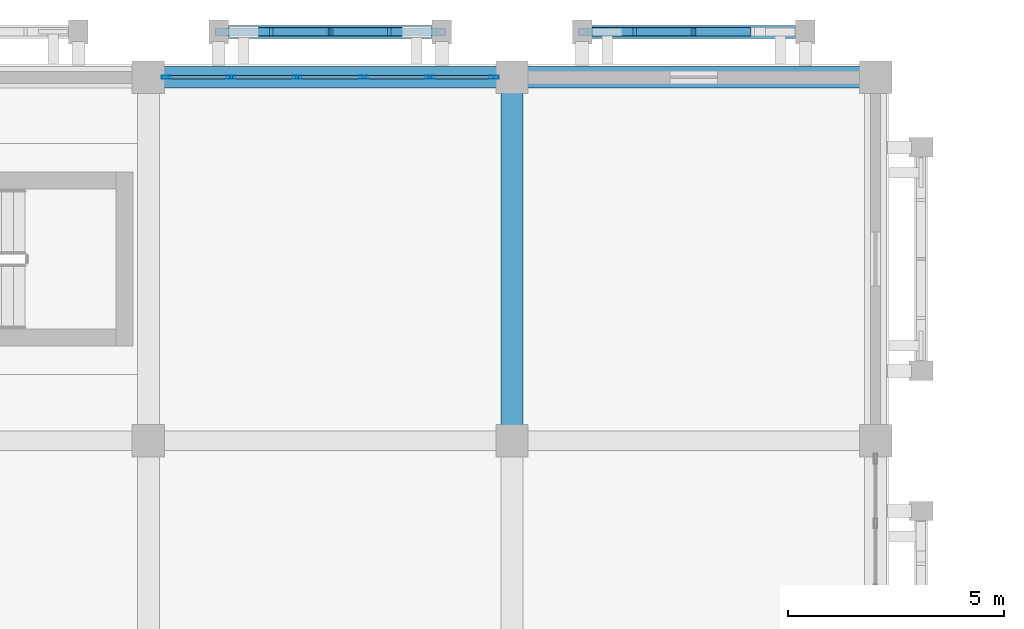
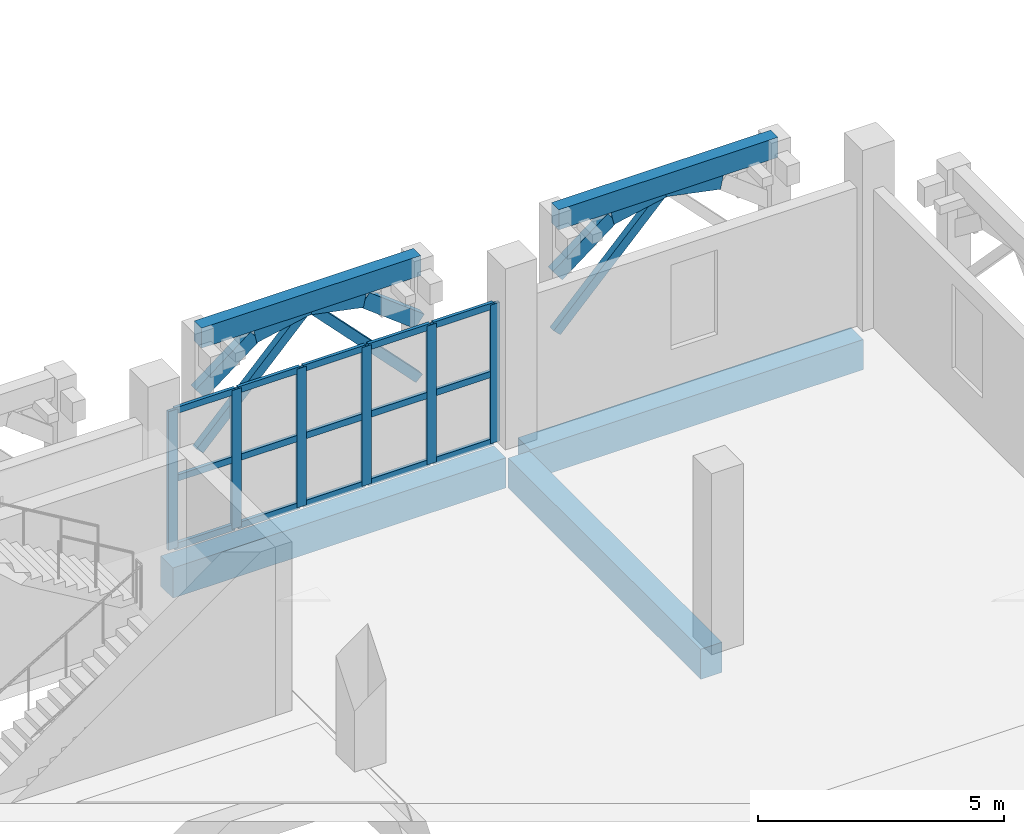
# One storey, part 57 of 114: 31 members, 5 beams, 1 element without a shape of its own.
"""IFC4 building model written with IfcOpenShell, lengths in metres."""

from ifc_helpers import new_model, si_unit, direction, frame, origin, origin_2d, place, context, subcontext, project, spatial, rectangle, hollow_rectangle, extrude, material, layer, layer_set, material_profile, profile_set, type_object, element, aggregate, save


model = new_model("IFC4")

# Units and contexts
model_context = context("Model", 3, precision=1e-05, world=origin(), true_north=direction((0.0, 1.0)))
body_context = subcontext(model_context, "Body", "Model", "MODEL_VIEW")
ifc_project = project(units=[si_unit("LENGTHUNIT", "METRE"), si_unit("AREAUNIT", "SQUARE_METRE"), si_unit("VOLUMEUNIT", "CUBIC_METRE"), si_unit("PLANEANGLEUNIT", "RADIAN"), si_unit("MASSUNIT", "GRAM", prefix="KILO")], contexts=[model_context])

# Site, building, storey
site_placement = place(None, origin())
site = spatial("IfcSite", under=ifc_project, at=site_placement, CompositionType="ELEMENT")
building_placement = place(site_placement, origin())
building = spatial("IfcBuilding", under=site, at=building_placement, Name="Xazarin Passage Department Store", CompositionType="ELEMENT")
storey_placement = place(building_placement, frame((0.0, 0.0, 14.39990234375)))
storey = spatial("IfcBuildingStorey", under=building, at=storey_placement, Name="L03", CompositionType="ELEMENT", Elevation=14.39990234375)

# Curtain wall, members
ifc_material_1 = material(Name="Bronze anodised aluminium", Category="aluminium")
ifc_layer = layer(ifc_material_1, 0.199951171875)
ifc_layer_set = layer_set([ifc_layer], Name="Bronze anodised aluminium")
curtain_wall_type = type_object("IfcCurtainWallType", Name="ARC-CW-VIT2", PredefinedType="NOTDEFINED", material=ifc_layer_set)
curtain_wall_placement = place(storey_placement, origin())
curtain_wall = element("IfcCurtainWall", 1, at=curtain_wall_placement, inside=storey, type_object=curtain_wall_type, Name="L03 V1 Curtain Wall 062", PredefinedType="NOTDEFINED")
ifc_material_profile_1 = material_profile(ifc_material_1, hollow_rectangle(XDim=0.074951171875, YDim=0.219970703125, WallThickness=0.0048828125, at=origin_2d()), Name="ALU 75x220")
ifc_profile_set_1 = profile_set([ifc_material_profile_1], Name="Bronze anodised aluminium")
member_type_1 = type_object("IfcMemberType", Name="ARC-CWM-75x220", PredefinedType="MULLION", material=ifc_profile_set_1)
member_1_placement = place(storey_placement, frame((34.012451171875, 110.0, 0.0), z_axis=(0.0, 0.0, 1.0), x_axis=(0.0, 1.0, 0.0)))
member_1 = element("IfcMember", 2, at=member_1_placement, type_object=member_type_1, Name="CW2 mullion 1", PredefinedType="MULLION", context=body_context, shape_type="SweptSolid", body=[
    extrude(hollow_rectangle(XDim=0.074951171875, YDim=0.219970703125, WallThickness=0.0048828125, at=origin_2d()), origin(), (0.0, 0.0, 1.0), 3.4501953125),
])
member_2_placement = place(storey_placement, frame((35.5048828125, 110.0, 0.0), z_axis=(0.0, 0.0, 1.0), x_axis=(0.0, 1.0, 0.0)))
member_2 = element("IfcMember", 3, at=member_2_placement, type_object=member_type_1, Name="CW2 mullion 2", PredefinedType="MULLION", context=body_context, shape_type="SweptSolid", body=[
    extrude(hollow_rectangle(XDim=0.074951171875, YDim=0.219970703125, WallThickness=0.0048828125, at=origin_2d()), origin(), (0.0, 0.0, 1.0), 3.4501953125),
])
member_3_placement = place(storey_placement, frame((37.034912109375, 110.0, 0.0), z_axis=(0.0, 0.0, 1.0), x_axis=(0.0, 1.0, 0.0)))
member_3 = element("IfcMember", 4, at=member_3_placement, type_object=member_type_1, Name="CW2 mullion 3", PredefinedType="MULLION", context=body_context, shape_type="SweptSolid", body=[
    extrude(hollow_rectangle(XDim=0.074951171875, YDim=0.219970703125, WallThickness=0.0048828125, at=origin_2d()), origin(), (0.0, 0.0, 1.0), 3.4501953125),
])
member_4_placement = place(storey_placement, frame((38.56494140625, 110.0, 0.0), z_axis=(0.0, 0.0, 1.0), x_axis=(0.0, 1.0, 0.0)))
member_4 = element("IfcMember", 5, at=member_4_placement, type_object=member_type_1, Name="CW2 mullion 4", PredefinedType="MULLION", context=body_context, shape_type="SweptSolid", body=[
    extrude(hollow_rectangle(XDim=0.074951171875, YDim=0.219970703125, WallThickness=0.0048828125, at=origin_2d()), origin(), (0.0, 0.0, 1.0), 3.4501953125),
])
member_5_placement = place(storey_placement, frame((40.094970703125, 110.0, 0.0), z_axis=(0.0, 0.0, 1.0), x_axis=(0.0, 1.0, 0.0)))
member_5 = element("IfcMember", 6, at=member_5_placement, type_object=member_type_1, Name="CW2 mullion 5", PredefinedType="MULLION", context=body_context, shape_type="SweptSolid", body=[
    extrude(hollow_rectangle(XDim=0.074951171875, YDim=0.219970703125, WallThickness=0.0048828125, at=origin_2d()), origin(), (0.0, 0.0, 1.0), 3.4501953125),
])
member_6_placement = place(storey_placement, frame((41.58740234375, 110.0, 0.0), z_axis=(0.0, 0.0, 1.0), x_axis=(0.0, 1.0, 0.0)))
member_6 = element("IfcMember", 7, at=member_6_placement, type_object=member_type_1, Name="CW2 mullion 6", PredefinedType="MULLION", context=body_context, shape_type="SweptSolid", body=[
    extrude(hollow_rectangle(XDim=0.074951171875, YDim=0.219970703125, WallThickness=0.0048828125, at=origin_2d()), origin(), (0.0, 0.0, 1.0), 3.4501953125),
])
ifc_material_profile_2 = material_profile(ifc_material_1, hollow_rectangle(XDim=0.074951171875, YDim=0.159912109375, WallThickness=0.00439453125, at=origin_2d()), Name="ALU 75x160")
ifc_profile_set_2 = profile_set([ifc_material_profile_2], Name="Bronze anodised aluminium")
member_type_2 = type_object("IfcMemberType", Name="ARC-CWT-75x160", PredefinedType="USERDEFINED", material=ifc_profile_set_2)
member_7_placement = place(storey_placement, frame((34.050048828125, 110.0, 0.03759765625), z_axis=(1.0, 0.0, 0.0), x_axis=(0.0, 1.0, 0.0)))
member_7 = element("IfcMember", 8, at=member_7_placement, type_object=member_type_2, Name="CW2 transom 1.1", ObjectType="TRANSOM", PredefinedType="USERDEFINED", context=body_context, shape_type="SweptSolid", body=[
    extrude(hollow_rectangle(XDim=0.074951171875, YDim=0.159912109375, WallThickness=0.00439453125, at=origin_2d()), origin(), (0.0, 0.0, 1.0), 1.41748046875),
])
member_8_placement = place(storey_placement, frame((34.050048828125, 110.0, 1.72509765625), z_axis=(1.0, 0.0, 0.0), x_axis=(0.0, 1.0, 0.0)))
member_8 = element("IfcMember", 9, at=member_8_placement, type_object=member_type_2, Name="CW2 transom 1.2", ObjectType="TRANSOM", PredefinedType="USERDEFINED", context=body_context, shape_type="SweptSolid", body=[
    extrude(hollow_rectangle(XDim=0.074951171875, YDim=0.159912109375, WallThickness=0.00439453125, at=origin_2d()), origin(), (0.0, 0.0, 1.0), 1.41748046875),
])
member_9_placement = place(storey_placement, frame((34.050048828125, 110.0, 3.41259765625), z_axis=(1.0, 0.0, 0.0), x_axis=(0.0, 1.0, 0.0)))
member_9 = element("IfcMember", 10, at=member_9_placement, type_object=member_type_2, Name="CW2 transom 1.3", ObjectType="TRANSOM", PredefinedType="USERDEFINED", context=body_context, shape_type="SweptSolid", body=[
    extrude(hollow_rectangle(XDim=0.074951171875, YDim=0.159912109375, WallThickness=0.00439453125, at=origin_2d()), origin(), (0.0, 0.0, 1.0), 1.41748046875),
])
member_10_placement = place(storey_placement, frame((35.54248046875, 110.0, 0.03759765625), z_axis=(1.0, 0.0, 0.0), x_axis=(0.0, 1.0, 0.0)))
member_10 = element("IfcMember", 11, at=member_10_placement, type_object=member_type_2, Name="CW2 transom 2.1", ObjectType="TRANSOM", PredefinedType="USERDEFINED", context=body_context, shape_type="SweptSolid", body=[
    extrude(hollow_rectangle(XDim=0.074951171875, YDim=0.159912109375, WallThickness=0.00439453125, at=origin_2d()), origin(), (0.0, 0.0, 1.0), 1.455078125),
])
member_11_placement = place(storey_placement, frame((35.54248046875, 110.0, 1.72509765625), z_axis=(1.0, 0.0, 0.0), x_axis=(0.0, 1.0, 0.0)))
member_11 = element("IfcMember", 12, at=member_11_placement, type_object=member_type_2, Name="CW2 transom 2.2", ObjectType="TRANSOM", PredefinedType="USERDEFINED", context=body_context, shape_type="SweptSolid", body=[
    extrude(hollow_rectangle(XDim=0.074951171875, YDim=0.159912109375, WallThickness=0.00439453125, at=origin_2d()), origin(), (0.0, 0.0, 1.0), 1.455078125),
])
member_12_placement = place(storey_placement, frame((35.54248046875, 110.0, 3.41259765625), z_axis=(1.0, 0.0, 0.0), x_axis=(0.0, 1.0, 0.0)))
member_12 = element("IfcMember", 13, at=member_12_placement, type_object=member_type_2, Name="CW2 transom 2.3", ObjectType="TRANSOM", PredefinedType="USERDEFINED", context=body_context, shape_type="SweptSolid", body=[
    extrude(hollow_rectangle(XDim=0.074951171875, YDim=0.159912109375, WallThickness=0.00439453125, at=origin_2d()), origin(), (0.0, 0.0, 1.0), 1.455078125),
])
member_13_placement = place(storey_placement, frame((37.072509765625, 110.0, 0.03759765625), z_axis=(1.0, 0.0, 0.0), x_axis=(0.0, 1.0, 0.0)))
member_13 = element("IfcMember", 14, at=member_13_placement, type_object=member_type_2, Name="CW2 transom 3.1", ObjectType="TRANSOM", PredefinedType="USERDEFINED", context=body_context, shape_type="SweptSolid", body=[
    extrude(hollow_rectangle(XDim=0.074951171875, YDim=0.159912109375, WallThickness=0.00439453125, at=origin_2d()), origin(), (0.0, 0.0, 1.0), 1.455078125),
])
member_14_placement = place(storey_placement, frame((37.072509765625, 110.0, 1.72509765625), z_axis=(1.0, 0.0, 0.0), x_axis=(0.0, 1.0, 0.0)))
member_14 = element("IfcMember", 15, at=member_14_placement, type_object=member_type_2, Name="CW2 transom 3.2", ObjectType="TRANSOM", PredefinedType="USERDEFINED", context=body_context, shape_type="SweptSolid", body=[
    extrude(hollow_rectangle(XDim=0.074951171875, YDim=0.159912109375, WallThickness=0.00439453125, at=origin_2d()), origin(), (0.0, 0.0, 1.0), 1.455078125),
])
member_15_placement = place(storey_placement, frame((37.072509765625, 110.0, 3.41259765625), z_axis=(1.0, 0.0, 0.0), x_axis=(0.0, 1.0, 0.0)))
member_15 = element("IfcMember", 16, at=member_15_placement, type_object=member_type_2, Name="CW2 transom 3.3", ObjectType="TRANSOM", PredefinedType="USERDEFINED", context=body_context, shape_type="SweptSolid", body=[
    extrude(hollow_rectangle(XDim=0.074951171875, YDim=0.159912109375, WallThickness=0.00439453125, at=origin_2d()), origin(), (0.0, 0.0, 1.0), 1.455078125),
])
member_16_placement = place(storey_placement, frame((38.6025390625, 110.0, 0.03759765625), z_axis=(1.0, 0.0, 0.0), x_axis=(0.0, 1.0, 0.0)))
member_16 = element("IfcMember", 17, at=member_16_placement, type_object=member_type_2, Name="CW2 transom 4.1", ObjectType="TRANSOM", PredefinedType="USERDEFINED", context=body_context, shape_type="SweptSolid", body=[
    extrude(hollow_rectangle(XDim=0.074951171875, YDim=0.159912109375, WallThickness=0.00439453125, at=origin_2d()), origin(), (0.0, 0.0, 1.0), 1.455078125),
])
member_17_placement = place(storey_placement, frame((38.6025390625, 110.0, 1.72509765625), z_axis=(1.0, 0.0, 0.0), x_axis=(0.0, 1.0, 0.0)))
member_17 = element("IfcMember", 18, at=member_17_placement, type_object=member_type_2, Name="CW2 transom 4.2", ObjectType="TRANSOM", PredefinedType="USERDEFINED", context=body_context, shape_type="SweptSolid", body=[
    extrude(hollow_rectangle(XDim=0.074951171875, YDim=0.159912109375, WallThickness=0.00439453125, at=origin_2d()), origin(), (0.0, 0.0, 1.0), 1.455078125),
])
member_18_placement = place(storey_placement, frame((38.6025390625, 110.0, 3.41259765625), z_axis=(1.0, 0.0, 0.0), x_axis=(0.0, 1.0, 0.0)))
member_18 = element("IfcMember", 19, at=member_18_placement, type_object=member_type_2, Name="CW2 transom 4.3", ObjectType="TRANSOM", PredefinedType="USERDEFINED", context=body_context, shape_type="SweptSolid", body=[
    extrude(hollow_rectangle(XDim=0.074951171875, YDim=0.159912109375, WallThickness=0.00439453125, at=origin_2d()), origin(), (0.0, 0.0, 1.0), 1.455078125),
])
member_19_placement = place(storey_placement, frame((40.132568359375, 110.0, 0.03759765625), z_axis=(1.0, 0.0, 0.0), x_axis=(0.0, 1.0, 0.0)))
member_19 = element("IfcMember", 20, at=member_19_placement, type_object=member_type_2, Name="CW2 transom 5.1", ObjectType="TRANSOM", PredefinedType="USERDEFINED", context=body_context, shape_type="SweptSolid", body=[
    extrude(hollow_rectangle(XDim=0.074951171875, YDim=0.159912109375, WallThickness=0.00439453125, at=origin_2d()), origin(), (0.0, 0.0, 1.0), 1.41748046875),
])
member_20_placement = place(storey_placement, frame((40.132568359375, 110.0, 1.72509765625), z_axis=(1.0, 0.0, 0.0), x_axis=(0.0, 1.0, 0.0)))
member_20 = element("IfcMember", 21, at=member_20_placement, type_object=member_type_2, Name="CW2 transom 5.2", ObjectType="TRANSOM", PredefinedType="USERDEFINED", context=body_context, shape_type="SweptSolid", body=[
    extrude(hollow_rectangle(XDim=0.074951171875, YDim=0.159912109375, WallThickness=0.00439453125, at=origin_2d()), origin(), (0.0, 0.0, 1.0), 1.41748046875),
])
member_21_placement = place(storey_placement, frame((40.132568359375, 110.0, 3.41259765625), z_axis=(1.0, 0.0, 0.0), x_axis=(0.0, 1.0, 0.0)))
member_21 = element("IfcMember", 22, at=member_21_placement, type_object=member_type_2, Name="CW2 transom 5.3", ObjectType="TRANSOM", PredefinedType="USERDEFINED", context=body_context, shape_type="SweptSolid", body=[
    extrude(hollow_rectangle(XDim=0.074951171875, YDim=0.159912109375, WallThickness=0.00439453125, at=origin_2d()), origin(), (0.0, 0.0, 1.0), 1.41748046875),
])
aggregate(curtain_wall, [member_1, member_2, member_3, member_4, member_5, member_6, member_7, member_8, member_9, member_10, member_11, member_12, member_13, member_14, member_15, member_16, member_17, member_18, member_19, member_20, member_21])

# Beams
ifc_material_2 = material(Name="Concrete C35/45", Category="concrete")
ifc_material_profile_3 = material_profile(ifc_material_2, rectangle(XDim=0.300048828125, YDim=0.5, at=origin_2d()), Name="RC 300x500")
ifc_profile_set_3 = profile_set([ifc_material_profile_3], Name="Concrete C35/45")
beam_type_1 = type_object("IfcBeamType", Name="STR-BM-LN300x500", PredefinedType="LINTEL", material=ifc_profile_set_3)
for number, where, z_axis, x_axis, name in (
    (23, (35.219970703125, 111.050048828125, 4.25), (1.0, 0.0, 0.0), (0.0, 1.0, 0.0), "L03 V1 Colonnade Spandrel Beam 003"),
    (24, (43.6201171875, 111.050048828125, 4.25), (1.0, 0.0, 0.0), (0.0, 1.0, 0.0), "L03 V1 Colonnade Spandrel Beam 004"),
):
    element("IfcBeam", number, at=place(storey_placement, frame(where, z_axis=z_axis, x_axis=x_axis)), inside=storey, type_object=beam_type_1, Name=name, PredefinedType="LINTEL", context=body_context, shape_type="SweptSolid", body=[
        extrude(rectangle(XDim=0.300048828125, YDim=0.5, at=origin_2d()), origin(), (0.0, 0.0, 1.0), 5.159912109375),
    ])
ifc_material_profile_4 = material_profile(ifc_material_2, rectangle(XDim=0.5, YDim=0.75, at=origin_2d()), Name="RC 500x750")
ifc_profile_set_4 = profile_set([ifc_material_profile_4], Name="Concrete C35/45")
beam_type_2 = type_object("IfcBeamType", Name="STR-BM-SP500x750", PredefinedType="SPANDREL", material=ifc_profile_set_4)
for number, where, z_axis, x_axis, name in (
    (25, (33.8798828125, 110.0, -0.6748046875), (1.0, 0.0, 0.0), (0.0, 1.0, 0.0), "L03 Grid Beam Q/5-6"),
    (26, (42.280029296875, 110.0, -0.6748046875), (1.0, 0.0, 0.0), (0.0, 1.0, 0.0), "L03 Grid Beam Q/6-7"),
    (27, (42.0, 101.8798828125, -0.6748046875), (0.0, 1.0, 0.0), (-1.0, 0.0, 0.0), "L03 Grid Beam 6/P-Q"),
):
    element("IfcBeam", number, at=place(storey_placement, frame(where, z_axis=z_axis, x_axis=x_axis)), inside=storey, type_object=beam_type_2, Name=name, PredefinedType="SPANDREL", context=body_context, shape_type="SweptSolid", body=[
        extrude(rectangle(XDim=0.5, YDim=0.75, at=origin_2d()), origin(), (0.0, 0.0, 1.0), 7.840087890625),
    ])

# Members
ifc_material_3 = material(Name="Concrete C40/50", Category="concrete")
ifc_material_profile_5 = material_profile(ifc_material_3, rectangle(XDim=0.199951171875, YDim=0.360107421875, at=origin_2d()), Name="RC 200x360")
ifc_profile_set_5 = profile_set([ifc_material_profile_5], Name="Concrete C40/50")
member_type_3 = type_object("IfcMemberType", Name="STR-MEM-ARC360", PredefinedType="CHORD", material=ifc_profile_set_5)
member_22_placement = place(storey_placement, frame((35.219970703125, 111.050048828125, 2.830078125), z_axis=(0.79440903847, 0.0, 0.607383140692), x_axis=(0.0, 1.0, 0.0)))
element("IfcMember", 28, at=member_22_placement, inside=storey, type_object=member_type_3, Name="L03 V1 Pierced Lattice Curved Arch 003.1", PredefinedType="CHORD", context=body_context, shape_type="SweptSolid", body=[
    extrude(rectangle(XDim=0.199951171875, YDim=0.360107421875, at=origin_2d()), origin(), (0.0, 0.0, 1.0), 1.623779296875),
])
for number, where, z_axis, x_axis, name in (
    (29, (36.510009765625, 111.050048828125, 3.81640625), (0.979744705887, 0.0, 0.200250621188), (0.0, 1.0, 0.0), "L03 V1 Pierced Lattice Curved Arch 003.2"),
    (30, (37.800048828125, 111.050048828125, 4.080078125), (0.979744705887, 0.0, -0.200250621188), (0.0, 1.0, 0.0), "L03 V1 Pierced Lattice Curved Arch 003.3"),
):
    element("IfcMember", number, at=place(storey_placement, frame(where, z_axis=z_axis, x_axis=x_axis)), inside=storey, type_object=member_type_3, Name=name, PredefinedType="CHORD", context=body_context, shape_type="SweptSolid", body=[
        extrude(rectangle(XDim=0.199951171875, YDim=0.360107421875, at=origin_2d()), origin(), (0.0, 0.0, 1.0), 1.316650390625),
    ])
for number, where, z_axis, x_axis, name in (
    (31, (39.090087890625, 111.050048828125, 3.81640625), (0.794353565088, 0.0, -0.607455688616), (0.0, 1.0, 0.0), "L03 V1 Pierced Lattice Curved Arch 003.4"),
    (32, (43.6201171875, 111.050048828125, 2.830078125), (0.794353565088, 0.0, 0.607455688616), (0.0, 1.0, 0.0), "L03 V1 Pierced Lattice Curved Arch 004.1"),
):
    element("IfcMember", number, at=place(storey_placement, frame(where, z_axis=z_axis, x_axis=x_axis)), inside=storey, type_object=member_type_3, Name=name, PredefinedType="CHORD", context=body_context, shape_type="SweptSolid", body=[
        extrude(rectangle(XDim=0.199951171875, YDim=0.360107421875, at=origin_2d()), origin(), (0.0, 0.0, 1.0), 1.623779296875),
    ])
for number, where, z_axis, x_axis, name in (
    (33, (44.909912109375, 111.050048828125, 3.81640625), (0.979744705887, 0.0, 0.200250621188), (0.0, 1.0, 0.0), "L03 V1 Pierced Lattice Curved Arch 004.2"),
    (34, (46.199951171875, 111.050048828125, 4.080078125), (0.979744705887, 0.0, -0.200250621188), (0.0, 1.0, 0.0), "L03 V1 Pierced Lattice Curved Arch 004.3"),
):
    element("IfcMember", number, at=place(storey_placement, frame(where, z_axis=z_axis, x_axis=x_axis)), inside=storey, type_object=member_type_3, Name=name, PredefinedType="CHORD", context=body_context, shape_type="SweptSolid", body=[
        extrude(rectangle(XDim=0.199951171875, YDim=0.360107421875, at=origin_2d()), origin(), (0.0, 0.0, 1.0), 1.316650390625),
    ])
ifc_material_profile_6 = material_profile(ifc_material_3, rectangle(XDim=0.159912109375, YDim=0.219970703125, at=origin_2d()), Name="RC 160x220")
ifc_profile_set_6 = profile_set([ifc_material_profile_6], Name="Concrete C40/50")
member_type_4 = type_object("IfcMemberType", Name="STR-MEM-TRC220", PredefinedType="CHORD", material=ifc_profile_set_6)
for number, where, z_axis, x_axis, name in (
    (35, (37.800048828125, 111.050048828125, 4.080078125), (-0.693558444435, 0.0, -0.720400363793), (0.0, -1.0, 0.0), "L03 V1 Upper Lattice Tracery Arch 003L"),
    (36, (37.800048828125, 111.050048828125, 4.080078125), (0.693524382622, 0.0, -0.72043315492), (0.0, 1.0, 0.0), "L03 V1 Upper Lattice Tracery Arch 003R"),
    (37, (46.199951171875, 111.050048828125, 4.080078125), (-0.693524382622, 0.0, -0.72043315492), (0.0, -1.0, 0.0), "L03 V1 Upper Lattice Tracery Arch 004L"),
):
    element("IfcMember", number, at=place(storey_placement, frame(where, z_axis=z_axis, x_axis=x_axis)), inside=storey, type_object=member_type_4, Name=name, PredefinedType="CHORD", context=body_context, shape_type="SweptSolid", body=[
        extrude(rectangle(XDim=0.159912109375, YDim=0.219970703125, at=origin_2d()), origin(), (0.0, 0.0, 1.0), 3.719970703125),
    ])

save(model, "model.ifc")
